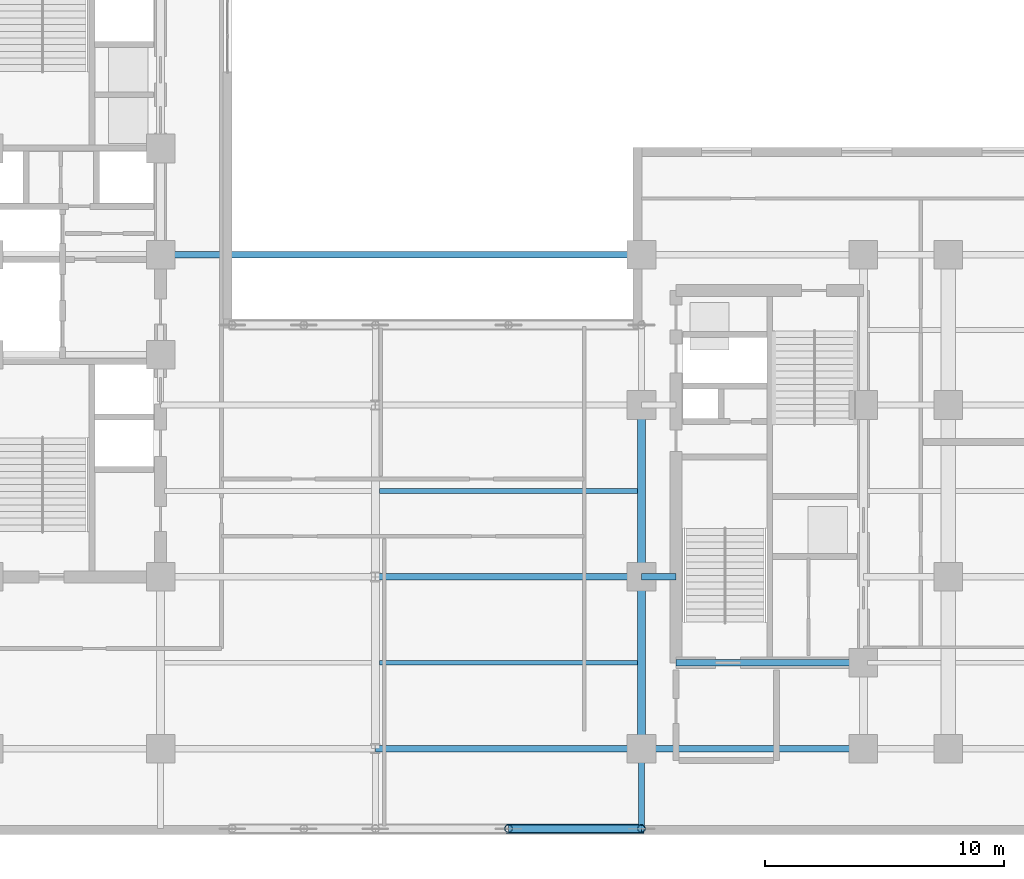
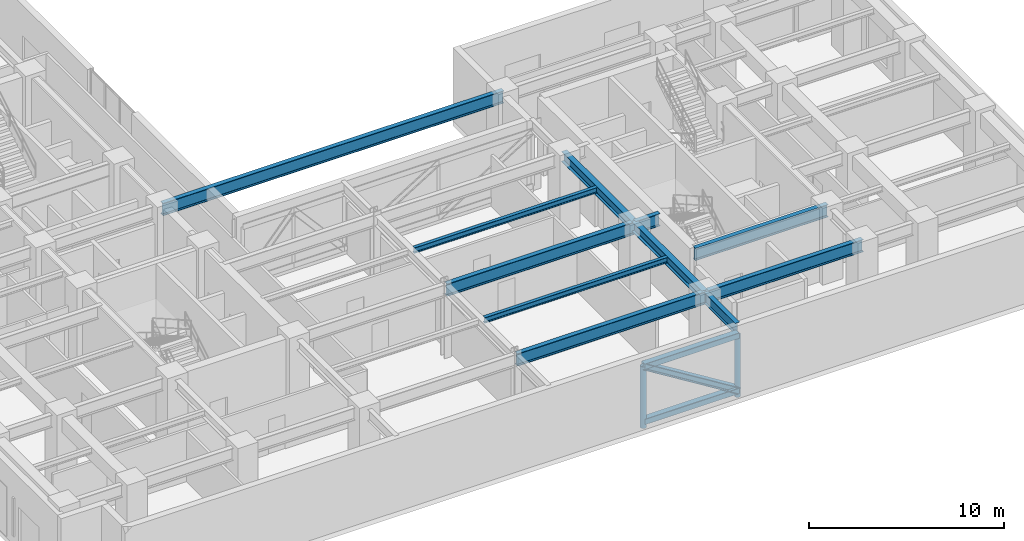
# One storey, part 6 of 18: 11 beams, 5 members.
"""IFC4 building model written with IfcOpenShell, lengths in metres."""

from ifc_helpers import new_model, entity, si_unit, converted_unit, direction, frame, origin_with_axes, origin_2d_with_axis, place, context, subcontext, project, spatial, hollow_rectangle, hollow_circle, i_section, extrude, material, material_profile, profile_set, type_object, element, save


model = new_model("IFC4")

# Units and contexts
model_context = context("Model", 3, precision=1e-05, world=origin_with_axes(), true_north=direction((0.0, 1.0)))
body_context = subcontext(model_context, "Body", "Model", "MODEL_VIEW")
ifc_project = project(units=[si_unit("LENGTHUNIT", "METRE"), si_unit("AREAUNIT", "SQUARE_METRE"), si_unit("VOLUMEUNIT", "CUBIC_METRE"), converted_unit("PLANEANGLEUNIT", "DEGREE", entity("IfcPlaneAngleMeasure", 0.017453292519943295), si_unit("PLANEANGLEUNIT", "RADIAN"), dimensions=[0, 0, 0, 0, 0, 0, 0]), si_unit("MASSUNIT", "GRAM", prefix="KILO"), si_unit("THERMODYNAMICTEMPERATUREUNIT", "KELVIN")], contexts=[model_context])

# Site, building, storey
site_placement = place(None, origin_with_axes())
site = spatial("IfcSite", under=ifc_project, at=site_placement, CompositionType="ELEMENT")
building_placement = place(site_placement, origin_with_axes())
building = spatial("IfcBuilding", under=site, at=building_placement, Name="Varnlund Millrace Tower", CompositionType="ELEMENT")
storey_placement = place(building_placement, frame((0.0, 0.0, 124.2), z_axis=(0.0, 0.0, 1.0), x_axis=(1.0, 0.0, 0.0)))
storey = spatial("IfcBuildingStorey", under=building, at=storey_placement, Name="L30", CompositionType="ELEMENT", Elevation=124.2)

# Beams
ifc_material_1 = material(Name="Steel ASTM A992 Grade 50", Category="steel")
ifc_material_profile_1 = material_profile(ifc_material_1, i_section(OverallWidth=0.328, OverallDepth=0.628, WebThickness=0.0165, FlangeThickness=0.0277, FilletRadius=0.018, at=origin_2d_with_axis()), Name="Steel ASTM A992 Grade 50")
ifc_profile_set_1 = profile_set([ifc_material_profile_1], Name="Steel ASTM A992 Grade 50")
beam_type_1 = type_object("IfcBeamType", Name="Type-Girder-W24X146", PredefinedType="USERDEFINED", material=ifc_profile_set_1)
for number, where, z_axis, x_axis, name in (
    (1, (38.75, 3.6, 4.246), (0.0, 1.0, 0.0), (-1.0, 0.0, 0.0), "Type-Girder-W24X146"),
    (2, (38.75, 10.8, 4.246), (0.0, 1.0, 0.0), (-1.0, 0.0, 0.0), "Type-Girder-W24X146"),
):
    element("IfcBeam", number, at=place(storey_placement, frame(where, z_axis=z_axis, x_axis=x_axis)), inside=storey, type_object=beam_type_1, Name=name, ObjectType="GIRDER", PredefinedType="USERDEFINED", context=body_context, shape_type="SweptSolid", body=[
        extrude(i_section(OverallWidth=0.328, OverallDepth=0.628, WebThickness=0.0165, FlangeThickness=0.0277, FilletRadius=0.018, at=origin_2d_with_axis()), origin_with_axes(), (0.0, 0.0, 1.0), 7.2),
    ])
ifc_material_profile_2 = material_profile(ifc_material_1, i_section(OverallWidth=0.256, OverallDepth=0.693, WebThickness=0.0145, FlangeThickness=0.0236, FilletRadius=0.018, at=origin_2d_with_axis()), Name="Steel ASTM A992 Grade 50")
ifc_profile_set_2 = profile_set([ifc_material_profile_2], Name="Steel ASTM A992 Grade 50")
beam_type_2 = type_object("IfcBeamType", Name="Type-Girder-W27X114", PredefinedType="USERDEFINED", material=ifc_profile_set_2)
beam_1_placement = place(storey_placement, frame((38.75, 0.25, 4.2135), z_axis=(0.0, 1.0, 0.0), x_axis=(-1.0, 0.0, 0.0)))
element("IfcBeam", 3, at=beam_1_placement, inside=storey, type_object=beam_type_2, Name="Type-Girder-W27X114", ObjectType="GIRDER", PredefinedType="USERDEFINED", context=body_context, shape_type="SweptSolid", body=[
    extrude(i_section(OverallWidth=0.256, OverallDepth=0.693, WebThickness=0.0145, FlangeThickness=0.0236, FilletRadius=0.018, at=origin_2d_with_axis()), origin_with_axes(), (0.0, 0.0, 1.0), 3.21),
])
ifc_material_profile_3 = material_profile(ifc_material_1, i_section(OverallWidth=0.266, OverallDepth=0.779, WebThickness=0.0165, FlangeThickness=0.03, FilletRadius=0.02, at=origin_2d_with_axis()), Name="Steel ASTM A992 Grade 50")
ifc_profile_set_3 = profile_set([ifc_material_profile_3], Name="Steel ASTM A992 Grade 50")
beam_type_3 = type_object("IfcBeamType", Name="Type-Girder-W30X148", PredefinedType="USERDEFINED", material=ifc_profile_set_3)
beam_2_placement = place(storey_placement, frame((27.6, 3.6, 4.1705), z_axis=(1.0, 0.0, 0.0), x_axis=(0.0, 1.0, 0.0)))
element("IfcBeam", 4, at=beam_2_placement, inside=storey, type_object=beam_type_3, Name="Type-Girder-W30X148", ObjectType="GIRDER", PredefinedType="USERDEFINED", context=body_context, shape_type="SweptSolid", body=[
    extrude(i_section(OverallWidth=0.266, OverallDepth=0.779, WebThickness=0.0165, FlangeThickness=0.03, FilletRadius=0.02, at=origin_2d_with_axis()), origin_with_axes(), (0.0, 0.0, 1.0), 11.15),
])
beam_3_placement = place(storey_placement, frame((38.75, 3.6, 4.1705), z_axis=(1.0, 0.0, 0.0), x_axis=(0.0, 1.0, 0.0)))
element("IfcBeam", 5, at=beam_3_placement, inside=storey, type_object=beam_type_3, Name="Type-Girder-W30X148", ObjectType="GIRDER", PredefinedType="USERDEFINED", context=body_context, shape_type="SweptSolid", body=[
    extrude(i_section(OverallWidth=0.266, OverallDepth=0.779, WebThickness=0.0165, FlangeThickness=0.03, FilletRadius=0.02, at=origin_2d_with_axis()), origin_with_axes(), (0.0, 0.0, 1.0), 9.3),
])
beam_4_placement = place(storey_placement, frame((40.2, 7.2, 4.1705), z_axis=(1.0, 0.0, 0.0), x_axis=(0.0, 1.0, 0.0)))
element("IfcBeam", 6, at=beam_4_placement, inside=storey, type_object=beam_type_3, Name="Type-Girder-W30X148", ObjectType="GIRDER", PredefinedType="USERDEFINED", context=body_context, shape_type="SweptSolid", body=[
    extrude(i_section(OverallWidth=0.266, OverallDepth=0.779, WebThickness=0.0165, FlangeThickness=0.03, FilletRadius=0.02, at=origin_2d_with_axis()), origin_with_axes(), (0.0, 0.0, 1.0), 7.85),
])
beam_5_placement = place(storey_placement, frame((27.6, 10.8, 4.1705), z_axis=(1.0, 0.0, 0.0), x_axis=(0.0, 1.0, 0.0)))
element("IfcBeam", 7, at=beam_5_placement, inside=storey, type_object=beam_type_3, Name="Type-Girder-W30X148", ObjectType="GIRDER", PredefinedType="USERDEFINED", context=body_context, shape_type="SweptSolid", body=[
    extrude(i_section(OverallWidth=0.266, OverallDepth=0.779, WebThickness=0.0165, FlangeThickness=0.03, FilletRadius=0.02, at=origin_2d_with_axis()), origin_with_axes(), (0.0, 0.0, 1.0), 11.15),
])
beam_6_placement = place(storey_placement, frame((38.75, 10.8, 4.1705), z_axis=(1.0, 0.0, 0.0), x_axis=(0.0, 1.0, 0.0)))
element("IfcBeam", 8, at=beam_6_placement, inside=storey, type_object=beam_type_3, Name="Type-Girder-W30X148", ObjectType="GIRDER", PredefinedType="USERDEFINED", context=body_context, shape_type="SweptSolid", body=[
    extrude(i_section(OverallWidth=0.266, OverallDepth=0.779, WebThickness=0.0165, FlangeThickness=0.03, FilletRadius=0.02, at=origin_2d_with_axis()), origin_with_axes(), (0.0, 0.0, 1.0), 1.45),
])
beam_7_placement = place(storey_placement, frame((18.6, 24.3, 4.1705), z_axis=(1.0, 0.0, 0.0), x_axis=(0.0, 1.0, 0.0)))
element("IfcBeam", 9, at=beam_7_placement, inside=storey, type_object=beam_type_3, Name="Type-Girder-W30X148", ObjectType="GIRDER", PredefinedType="USERDEFINED", context=body_context, shape_type="SweptSolid", body=[
    extrude(i_section(OverallWidth=0.266, OverallDepth=0.779, WebThickness=0.0165, FlangeThickness=0.03, FilletRadius=0.02, at=origin_2d_with_axis()), origin_with_axes(), (0.0, 0.0, 1.0), 20.15),
])
ifc_material_profile_4 = material_profile(ifc_material_1, i_section(OverallWidth=0.204, OverallDepth=0.35, WebThickness=0.0086, FlangeThickness=0.0151, FilletRadius=0.013, at=origin_2d_with_axis()), Name="Steel ASTM A992 Grade 50")
ifc_profile_set_4 = profile_set([ifc_material_profile_4], Name="Steel ASTM A992 Grade 50")
beam_type_4 = type_object("IfcBeamType", Name="Type-Joist-W14X48", PredefinedType="JOIST", material=ifc_profile_set_4)
for number, where, z_axis, x_axis, name in (
    (10, (27.764, 7.2, 4.385), (1.0, 0.0, 0.0), (0.0, 1.0, 0.0), "Type-Joist-W14X48"),
    (11, (27.764, 14.4, 4.385), (1.0, 0.0, 0.0), (0.0, 1.0, 0.0), "Type-Joist-W14X48"),
):
    element("IfcBeam", number, at=place(storey_placement, frame(where, z_axis=z_axis, x_axis=x_axis)), inside=storey, type_object=beam_type_4, Name=name, PredefinedType="JOIST", context=body_context, shape_type="SweptSolid", body=[
        extrude(i_section(OverallWidth=0.204, OverallDepth=0.35, WebThickness=0.0086, FlangeThickness=0.0151, FilletRadius=0.013, at=origin_2d_with_axis()), origin_with_axes(), (0.0, 0.0, 1.0), 10.822),
    ])

# Members
ifc_material_2 = material(Name="Steel ASTM A500 Grade C", Category="steel")
ifc_material_profile_5 = material_profile(ifc_material_2, hollow_rectangle(XDim=0.356, YDim=0.356, WallThickness=0.0147, InnerFilletRadius=0.015, OuterFilletRadius=0.03, at=origin_2d_with_axis()), Name="Steel ASTM A500 Grade C")
ifc_profile_set_5 = profile_set([ifc_material_profile_5], Name="Steel ASTM A500 Grade C")
member_type_1 = type_object("IfcMemberType", Name="Type-Portal-Chord-HSS14", PredefinedType="CHORD", material=ifc_profile_set_5)
for number, where, z_axis, x_axis, name in (
    (12, (33.18, 0.25, 0.4), (1.0, 0.0, 0.0), (0.0, 1.0, 0.0), "Type-Portal-Chord-HSS14"),
    (13, (33.18, 0.25, 3.85), (1.0, 0.0, 0.0), (0.0, 1.0, 0.0), "Type-Portal-Chord-HSS14"),
):
    element("IfcMember", number, at=place(storey_placement, frame(where, z_axis=z_axis, x_axis=x_axis)), inside=storey, type_object=member_type_1, Name=name, PredefinedType="CHORD", context=body_context, shape_type="SweptSolid", body=[
        extrude(hollow_rectangle(XDim=0.356, YDim=0.356, WallThickness=0.0147, InnerFilletRadius=0.015, OuterFilletRadius=0.03, at=origin_2d_with_axis()), origin_with_axes(), (0.0, 0.0, 1.0), 5.57),
    ])
ifc_material_profile_6 = material_profile(ifc_material_1, i_section(OverallWidth=0.394, OverallDepth=0.375, WebThickness=0.0173, FlangeThickness=0.0277, FilletRadius=0.02, at=origin_2d_with_axis()), Name="Steel ASTM A992 Grade 50")
ifc_profile_set_6 = profile_set([ifc_material_profile_6], Name="Steel ASTM A992 Grade 50")
member_type_2 = type_object("IfcMemberType", Name="Type-Portal-Diag-W14X145", PredefinedType="BRACE", material=ifc_profile_set_6)
member_placement = place(storey_placement, frame((33.18, 0.25, 3.85), z_axis=(0.850135, 0.0, -0.526565), x_axis=(0.0, 1.0, 0.0)))
element("IfcMember", 14, at=member_placement, inside=storey, type_object=member_type_2, Name="Type-Portal-Diag-W14X145", PredefinedType="BRACE", context=body_context, shape_type="SweptSolid", body=[
    extrude(i_section(OverallWidth=0.394, OverallDepth=0.375, WebThickness=0.0173, FlangeThickness=0.0277, FilletRadius=0.02, at=origin_2d_with_axis()), origin_with_axes(), (0.0, 0.0, 1.0), 6.5519),
])
ifc_material_profile_7 = material_profile(ifc_material_2, hollow_circle(Radius=0.162, WallThickness=0.0118, at=origin_2d_with_axis()), Name="Steel ASTM A500 Grade C")
ifc_profile_set_7 = profile_set([ifc_material_profile_7], Name="Steel ASTM A500 Grade C")
member_type_3 = type_object("IfcMemberType", Name="Type-Portal-Strut-CHS324", PredefinedType="STRUT", material=ifc_profile_set_7)
for number, where, z_axis, x_axis, name in (
    (15, (33.18, 0.25, 0.0), (0.0, 0.0, 1.0), (1.0, 0.0, 0.0), "Type-Portal-Strut-CHS324"),
    (16, (38.75, 0.25, 0.0), (0.0, 0.0, 1.0), (1.0, 0.0, 0.0), "Type-Portal-Strut-CHS324"),
):
    element("IfcMember", number, at=place(storey_placement, frame(where, z_axis=z_axis, x_axis=x_axis)), inside=storey, type_object=member_type_3, Name=name, PredefinedType="STRUT", context=body_context, shape_type="SweptSolid", body=[
        extrude(hollow_circle(Radius=0.162, WallThickness=0.0118, at=origin_2d_with_axis()), origin_with_axes(), (0.0, 0.0, 1.0), 3.85),
    ])

save(model, "model.ifc")
